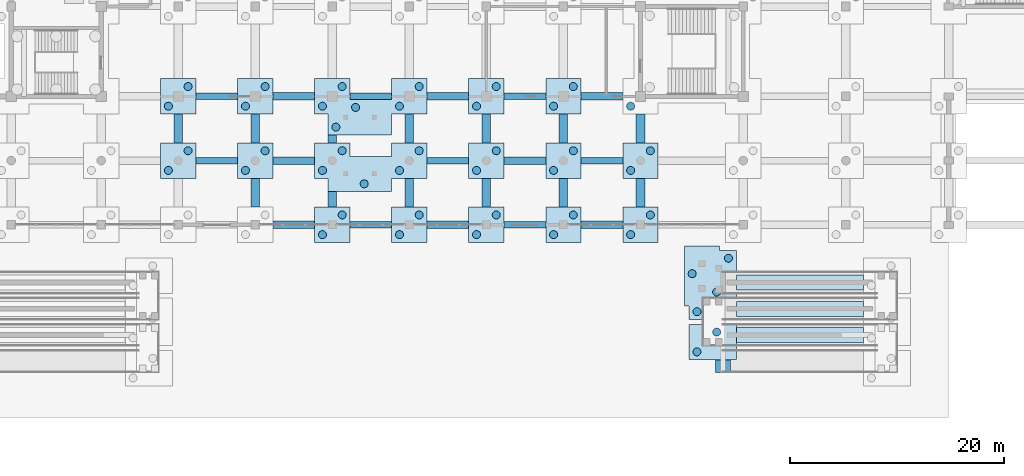
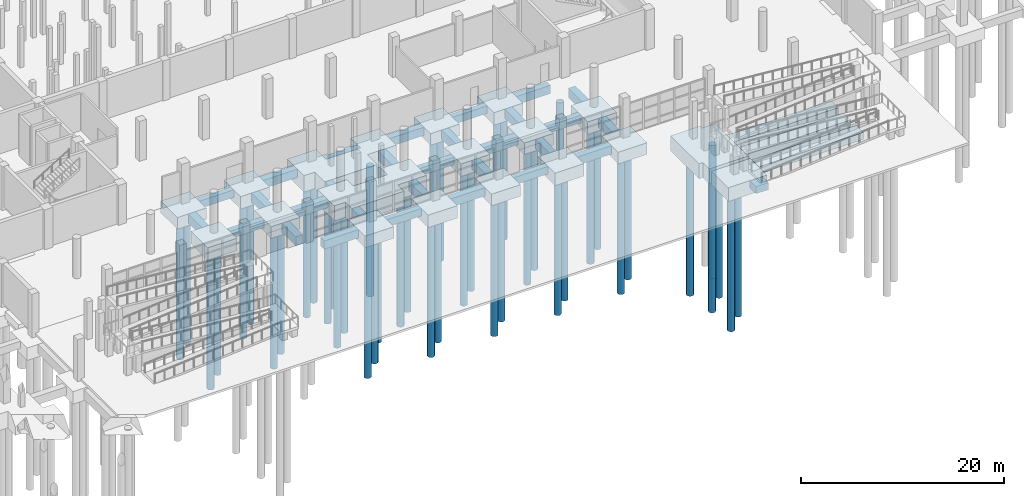
# One storey, part 5 of 42: 51 footings, 46 piles.
"""IFC4 building model written with IfcOpenShell, lengths in metres."""

from ifc_helpers import new_model, si_unit, direction, frame, origin, origin_2d, place, context, subcontext, project, spatial, polyline, rectangle, circle, outline, extrude, material, layer, layer_set, material_profile, profile_set, type_object, element, save


model = new_model("IFC4")

# Units and contexts
model_context = context("Model", 3, precision=1e-05, world=origin(), true_north=direction((0.0, 1.0)))
body_context = subcontext(model_context, "Body", "Model", "MODEL_VIEW")
ifc_project = project(units=[si_unit("LENGTHUNIT", "METRE"), si_unit("AREAUNIT", "SQUARE_METRE"), si_unit("VOLUMEUNIT", "CUBIC_METRE"), si_unit("PLANEANGLEUNIT", "RADIAN"), si_unit("MASSUNIT", "GRAM", prefix="KILO")], contexts=[model_context])

# Site, building, storey
site_placement = place(None, origin())
site = spatial("IfcSite", under=ifc_project, at=site_placement, CompositionType="ELEMENT")
building_placement = place(site_placement, origin())
building = spatial("IfcBuilding", under=site, at=building_placement, Name="Pellamere Symphony Hall", CompositionType="ELEMENT")
storey_placement = place(building_placement, frame((0.0, 0.0, -4.800048828125)))
storey = spatial("IfcBuildingStorey", under=building, at=storey_placement, Name="B1", CompositionType="ELEMENT", Elevation=-4.800048828125)

# Piles
ifc_material_1 = material(Name="Concrete 35 MPa", Category="concrete")
ifc_material_profile_1 = material_profile(ifc_material_1, circle(Radius=0.375, at=origin_2d()), Name="PILE D750")
ifc_profile_set_1 = profile_set([ifc_material_profile_1], Name="Concrete 35 MPa")
pile_type = type_object("IfcPileType", Name="Bored Pile 750mm Concrete 35 MPa", PredefinedType="BORED", material=ifc_profile_set_1)
for number, where, z_axis, x_axis, name in (
    (1, (114.47998046875, 6.1298828125, -1.800048828125), (0.0, 0.0, -1.0), (1.0, 0.0, 0.0), "Bored Pile BP-750-P023"),
    (2, (116.320068359375, 7.969970703125, -1.800048828125), (0.0, 0.0, -1.0), (1.0, 0.0, 0.0), "Bored Pile BP-750-P024"),
):
    element("IfcPile", number, at=place(storey_placement, frame(where, z_axis=z_axis, x_axis=x_axis)), inside=storey, type_object=pile_type, Name=name, PredefinedType="BORED", context=body_context, shape_type="SweptSolid", body=[
        extrude(circle(Radius=0.375, at=origin_2d()), origin(), (0.0, 0.0, 1.0), 16.199951171875),
    ])
for number, where, z_axis, x_axis, name in (
    (3, (114.47998046875, 9.8798828125, -1.949951171875), (0.0, 0.0, -1.0), (1.0, 0.0, 0.0), "Bored Pile BP-750-P043"),
    (4, (116.320068359375, 11.719970703125, -1.949951171875), (0.0, 0.0, -1.0), (1.0, 0.0, 0.0), "Bored Pile BP-750-P044"),
    (5, (117.419921875, 14.8701171875, -1.949951171875), (0.0, 0.0, -1.0), (1.0, 0.0, 0.0), "Bored Pile BP-750-P045"),
    (6, (114.030029296875, 13.429931640625, -1.949951171875), (0.0, 0.0, -1.0), (1.0, 0.0, 0.0), "Bored Pile BP-750-P046"),
):
    element("IfcPile", number, at=place(storey_placement, frame(where, z_axis=z_axis, x_axis=x_axis)), inside=storey, type_object=pile_type, Name=name, PredefinedType="BORED", context=body_context, shape_type="SweptSolid", body=[
        extrude(circle(Radius=0.375, at=origin_2d()), origin(), (0.0, 0.0, 1.0), 16.050048828125),
    ])
for number, where, z_axis, x_axis, name in (
    (7, (79.47998046875, 17.080078125, -1.75), (0.0, 0.0, -1.0), (1.0, 0.0, 0.0), "Bored Pile BP-750-P071"),
    (8, (81.320068359375, 18.919921875, -1.75), (0.0, 0.0, -1.0), (1.0, 0.0, 0.0), "Bored Pile BP-750-P072"),
):
    element("IfcPile", number, at=place(storey_placement, frame(where, z_axis=z_axis, x_axis=x_axis)), inside=storey, type_object=pile_type, Name=name, PredefinedType="BORED", context=body_context, shape_type="SweptSolid", body=[
        extrude(circle(Radius=0.375, at=origin_2d()), origin(), (0.0, 0.0, 1.0), 16.25),
    ])
for number, where, z_axis, x_axis, name in (
    (9, (86.679931640625, 17.080078125, -1.849853515625), (0.0, 0.0, -1.0), (1.0, 0.0, 0.0), "Bored Pile BP-750-P073"),
    (10, (88.52001953125, 18.919921875, -1.849853515625), (0.0, 0.0, -1.0), (1.0, 0.0, 0.0), "Bored Pile BP-750-P074"),
):
    element("IfcPile", number, at=place(storey_placement, frame(where, z_axis=z_axis, x_axis=x_axis)), inside=storey, type_object=pile_type, Name=name, PredefinedType="BORED", context=body_context, shape_type="SweptSolid", body=[
        extrude(circle(Radius=0.375, at=origin_2d()), origin(), (0.0, 0.0, 1.0), 16.14990234375),
    ])
for number, where, z_axis, x_axis, name in (
    (11, (93.8798828125, 17.080078125, -1.75), (0.0, 0.0, -1.0), (1.0, 0.0, 0.0), "Bored Pile BP-750-P075"),
    (12, (95.719970703125, 18.919921875, -1.75), (0.0, 0.0, -1.0), (1.0, 0.0, 0.0), "Bored Pile BP-750-P076"),
):
    element("IfcPile", number, at=place(storey_placement, frame(where, z_axis=z_axis, x_axis=x_axis)), inside=storey, type_object=pile_type, Name=name, PredefinedType="BORED", context=body_context, shape_type="SweptSolid", body=[
        extrude(circle(Radius=0.375, at=origin_2d()), origin(), (0.0, 0.0, 1.0), 16.25),
    ])
for number, where, z_axis, x_axis, name in (
    (13, (101.080078125, 17.080078125, -1.849853515625), (0.0, 0.0, -1.0), (1.0, 0.0, 0.0), "Bored Pile BP-750-P077"),
    (14, (102.919921875, 18.919921875, -1.849853515625), (0.0, 0.0, -1.0), (1.0, 0.0, 0.0), "Bored Pile BP-750-P078"),
):
    element("IfcPile", number, at=place(storey_placement, frame(where, z_axis=z_axis, x_axis=x_axis)), inside=storey, type_object=pile_type, Name=name, PredefinedType="BORED", context=body_context, shape_type="SweptSolid", body=[
        extrude(circle(Radius=0.375, at=origin_2d()), origin(), (0.0, 0.0, 1.0), 16.14990234375),
    ])
for number, where, z_axis, x_axis, name in (
    (15, (108.280029296875, 17.080078125, -1.75), (0.0, 0.0, -1.0), (1.0, 0.0, 0.0), "Bored Pile BP-750-P079"),
    (16, (110.1201171875, 18.919921875, -1.75), (0.0, 0.0, -1.0), (1.0, 0.0, 0.0), "Bored Pile BP-750-P080"),
):
    element("IfcPile", number, at=place(storey_placement, frame(where, z_axis=z_axis, x_axis=x_axis)), inside=storey, type_object=pile_type, Name=name, PredefinedType="BORED", context=body_context, shape_type="SweptSolid", body=[
        extrude(circle(Radius=0.375, at=origin_2d()), origin(), (0.0, 0.0, 1.0), 16.25),
    ])
for number, where, z_axis, x_axis, name in (
    (17, (79.47998046875, 23.080078125, -2.14990234375), (0.0, 0.0, -1.0), (1.0, 0.0, 0.0), "Bored Pile BP-750-P104"),
    (18, (81.320068359375, 24.919921875, -2.14990234375), (0.0, 0.0, -1.0), (1.0, 0.0, 0.0), "Bored Pile BP-750-P105"),
    (19, (86.679931640625, 23.080078125, -2.14990234375), (0.0, 0.0, -1.0), (1.0, 0.0, 0.0), "Bored Pile BP-750-P106"),
    (20, (88.52001953125, 24.919921875, -2.14990234375), (0.0, 0.0, -1.0), (1.0, 0.0, 0.0), "Bored Pile BP-750-P107"),
    (21, (83.3798828125, 21.830078125, -2.14990234375), (0.0, 0.0, -1.0), (1.0, 0.0, 0.0), "Bored Pile BP-750-P108"),
):
    element("IfcPile", number, at=place(storey_placement, frame(where, z_axis=z_axis, x_axis=x_axis)), inside=storey, type_object=pile_type, Name=name, PredefinedType="BORED", context=body_context, shape_type="SweptSolid", body=[
        extrude(circle(Radius=0.375, at=origin_2d()), origin(), (0.0, 0.0, 1.0), 15.85009765625),
    ])
for number, where, z_axis, x_axis, name in (
    (22, (65.080078125, 23.080078125, -1.849853515625), (0.0, 0.0, -1.0), (1.0, 0.0, 0.0), "Bored Pile BP-750-P119"),
    (23, (66.919921875, 24.919921875, -1.849853515625), (0.0, 0.0, -1.0), (1.0, 0.0, 0.0), "Bored Pile BP-750-P120"),
):
    element("IfcPile", number, at=place(storey_placement, frame(where, z_axis=z_axis, x_axis=x_axis)), inside=storey, type_object=pile_type, Name=name, PredefinedType="BORED", context=body_context, shape_type="SweptSolid", body=[
        extrude(circle(Radius=0.375, at=origin_2d()), origin(), (0.0, 0.0, 1.0), 16.14990234375),
    ])
for number, where, z_axis, x_axis, name in (
    (24, (72.280029296875, 23.080078125, -1.75), (0.0, 0.0, -1.0), (1.0, 0.0, 0.0), "Bored Pile BP-750-P121"),
    (25, (74.1201171875, 24.919921875, -1.75), (0.0, 0.0, -1.0), (1.0, 0.0, 0.0), "Bored Pile BP-750-P122"),
):
    element("IfcPile", number, at=place(storey_placement, frame(where, z_axis=z_axis, x_axis=x_axis)), inside=storey, type_object=pile_type, Name=name, PredefinedType="BORED", context=body_context, shape_type="SweptSolid", body=[
        extrude(circle(Radius=0.375, at=origin_2d()), origin(), (0.0, 0.0, 1.0), 16.25),
    ])
for number, where, z_axis, x_axis, name in (
    (26, (93.8798828125, 23.080078125, -1.849853515625), (0.0, 0.0, -1.0), (1.0, 0.0, 0.0), "Bored Pile BP-750-P123"),
    (27, (95.719970703125, 24.919921875, -1.849853515625), (0.0, 0.0, -1.0), (1.0, 0.0, 0.0), "Bored Pile BP-750-P124"),
):
    element("IfcPile", number, at=place(storey_placement, frame(where, z_axis=z_axis, x_axis=x_axis)), inside=storey, type_object=pile_type, Name=name, PredefinedType="BORED", context=body_context, shape_type="SweptSolid", body=[
        extrude(circle(Radius=0.375, at=origin_2d()), origin(), (0.0, 0.0, 1.0), 16.14990234375),
    ])
for number, where, z_axis, x_axis, name in (
    (28, (101.080078125, 23.080078125, -1.75), (0.0, 0.0, -1.0), (1.0, 0.0, 0.0), "Bored Pile BP-750-P125"),
    (29, (102.919921875, 24.919921875, -1.75), (0.0, 0.0, -1.0), (1.0, 0.0, 0.0), "Bored Pile BP-750-P126"),
):
    element("IfcPile", number, at=place(storey_placement, frame(where, z_axis=z_axis, x_axis=x_axis)), inside=storey, type_object=pile_type, Name=name, PredefinedType="BORED", context=body_context, shape_type="SweptSolid", body=[
        extrude(circle(Radius=0.375, at=origin_2d()), origin(), (0.0, 0.0, 1.0), 16.25),
    ])
for number, where, z_axis, x_axis, name in (
    (30, (108.280029296875, 23.080078125, -1.849853515625), (0.0, 0.0, -1.0), (1.0, 0.0, 0.0), "Bored Pile BP-750-P127"),
    (31, (110.1201171875, 24.919921875, -1.849853515625), (0.0, 0.0, -1.0), (1.0, 0.0, 0.0), "Bored Pile BP-750-P128"),
):
    element("IfcPile", number, at=place(storey_placement, frame(where, z_axis=z_axis, x_axis=x_axis)), inside=storey, type_object=pile_type, Name=name, PredefinedType="BORED", context=body_context, shape_type="SweptSolid", body=[
        extrude(circle(Radius=0.375, at=origin_2d()), origin(), (0.0, 0.0, 1.0), 16.14990234375),
    ])
for number, where, z_axis, x_axis, name in (
    (32, (79.47998046875, 29.080078125, -2.349853515625), (0.0, 0.0, -1.0), (1.0, 0.0, 0.0), "Bored Pile BP-750-P141"),
    (33, (81.320068359375, 30.919921875, -2.349853515625), (0.0, 0.0, -1.0), (1.0, 0.0, 0.0), "Bored Pile BP-750-P142"),
    (34, (86.679931640625, 29.080078125, -2.349853515625), (0.0, 0.0, -1.0), (1.0, 0.0, 0.0), "Bored Pile BP-750-P143"),
    (35, (88.52001953125, 30.919921875, -2.349853515625), (0.0, 0.0, -1.0), (1.0, 0.0, 0.0), "Bored Pile BP-750-P144"),
    (36, (80.72998046875, 27.1298828125, -2.349853515625), (0.0, 0.0, -1.0), (1.0, 0.0, 0.0), "Bored Pile BP-750-P145"),
    (37, (82.570068359375, 28.969970703125, -2.349853515625), (0.0, 0.0, -1.0), (1.0, 0.0, 0.0), "Bored Pile BP-750-P146"),
):
    element("IfcPile", number, at=place(storey_placement, frame(where, z_axis=z_axis, x_axis=x_axis)), inside=storey, type_object=pile_type, Name=name, PredefinedType="BORED", context=body_context, shape_type="SweptSolid", body=[
        extrude(circle(Radius=0.375, at=origin_2d()), origin(), (0.0, 0.0, 1.0), 15.64990234375),
    ])
for number, where, z_axis, x_axis, name in (
    (38, (65.080078125, 29.080078125, -1.75), (0.0, 0.0, -1.0), (1.0, 0.0, 0.0), "Bored Pile BP-750-P180"),
    (39, (66.919921875, 30.919921875, -1.75), (0.0, 0.0, -1.0), (1.0, 0.0, 0.0), "Bored Pile BP-750-P181"),
):
    element("IfcPile", number, at=place(storey_placement, frame(where, z_axis=z_axis, x_axis=x_axis)), inside=storey, type_object=pile_type, Name=name, PredefinedType="BORED", context=body_context, shape_type="SweptSolid", body=[
        extrude(circle(Radius=0.375, at=origin_2d()), origin(), (0.0, 0.0, 1.0), 16.25),
    ])
for number, where, z_axis, x_axis, name in (
    (40, (72.280029296875, 29.080078125, -1.849853515625), (0.0, 0.0, -1.0), (1.0, 0.0, 0.0), "Bored Pile BP-750-P182"),
    (41, (74.1201171875, 30.919921875, -1.849853515625), (0.0, 0.0, -1.0), (1.0, 0.0, 0.0), "Bored Pile BP-750-P183"),
):
    element("IfcPile", number, at=place(storey_placement, frame(where, z_axis=z_axis, x_axis=x_axis)), inside=storey, type_object=pile_type, Name=name, PredefinedType="BORED", context=body_context, shape_type="SweptSolid", body=[
        extrude(circle(Radius=0.375, at=origin_2d()), origin(), (0.0, 0.0, 1.0), 16.14990234375),
    ])
for number, where, z_axis, x_axis, name in (
    (42, (93.8798828125, 29.080078125, -1.75), (0.0, 0.0, -1.0), (1.0, 0.0, 0.0), "Bored Pile BP-750-P184"),
    (43, (95.719970703125, 30.919921875, -1.75), (0.0, 0.0, -1.0), (1.0, 0.0, 0.0), "Bored Pile BP-750-P185"),
):
    element("IfcPile", number, at=place(storey_placement, frame(where, z_axis=z_axis, x_axis=x_axis)), inside=storey, type_object=pile_type, Name=name, PredefinedType="BORED", context=body_context, shape_type="SweptSolid", body=[
        extrude(circle(Radius=0.375, at=origin_2d()), origin(), (0.0, 0.0, 1.0), 16.25),
    ])
for number, where, z_axis, x_axis, name in (
    (44, (101.080078125, 29.080078125, -1.849853515625), (0.0, 0.0, -1.0), (1.0, 0.0, 0.0), "Bored Pile BP-750-P186"),
    (45, (102.919921875, 30.919921875, -1.849853515625), (0.0, 0.0, -1.0), (1.0, 0.0, 0.0), "Bored Pile BP-750-P187"),
):
    element("IfcPile", number, at=place(storey_placement, frame(where, z_axis=z_axis, x_axis=x_axis)), inside=storey, type_object=pile_type, Name=name, PredefinedType="BORED", context=body_context, shape_type="SweptSolid", body=[
        extrude(circle(Radius=0.375, at=origin_2d()), origin(), (0.0, 0.0, 1.0), 16.14990234375),
    ])
pile_placement = place(storey_placement, frame((108.280029296875, 29.080078125, -2.25), z_axis=(0.0, 0.0, -1.0), x_axis=(1.0, 0.0, 0.0)))
element("IfcPile", 46, at=pile_placement, inside=storey, type_object=pile_type, Name="Bored Pile BP-750-P192", PredefinedType="BORED", context=body_context, shape_type="SweptSolid", body=[
    extrude(circle(Radius=0.375, at=origin_2d()), origin(), (0.0, 0.0, 1.0), 15.75),
])

# Footings
ifc_material_2 = material(Name="Concrete 40 MPa", Category="concrete")
ifc_material_profile_2 = material_profile(ifc_material_2, rectangle(XDim=0.60009765625, YDim=0.89990234375, at=origin_2d()), Name="RC 600x900")
ifc_profile_set_2 = profile_set([ifc_material_profile_2], Name="Concrete 40 MPa")
footing_type_1 = type_object("IfcFootingType", Name="Foundation FB-01 600x900", PredefinedType="FOOTING_BEAM", material=ifc_profile_set_2)
for number, where, z_axis, x_axis, name in (
    (47, (82.052001953125, 18.0, -0.89990234375), (1.0, 0.0, 0.0), (0.0, 1.0, 0.0), "Foundation Beam FB-01-076"),
    (48, (96.451904296875, 18.0, -0.89990234375), (1.0, 0.0, 0.0), (0.0, 1.0, 0.0), "Foundation Beam FB-01-078"),
    (49, (67.652099609375, 24.0, -0.89990234375), (1.0, 0.0, 0.0), (0.0, 1.0, 0.0), "Foundation Beam FB-01-092"),
    (50, (89.251953125, 24.0, -0.89990234375), (1.0, 0.0, 0.0), (0.0, 1.0, 0.0), "Foundation Beam FB-01-094"),
    (51, (103.652099609375, 24.0, -0.89990234375), (1.0, 0.0, 0.0), (0.0, 1.0, 0.0), "Foundation Beam FB-01-096"),
    (52, (67.652099609375, 30.0, -0.89990234375), (1.0, 0.0, 0.0), (0.0, 1.0, 0.0), "Foundation Beam FB-01-108"),
    (53, (82.052001953125, 30.0, -0.89990234375), (1.0, 0.0, 0.0), (0.0, 1.0, 0.0), "Foundation Beam FB-01-110"),
    (54, (96.451904296875, 30.0, -0.89990234375), (1.0, 0.0, 0.0), (0.0, 1.0, 0.0), "Foundation Beam FB-01-112"),
):
    element("IfcFooting", number, at=place(storey_placement, frame(where, z_axis=z_axis, x_axis=x_axis)), inside=storey, type_object=footing_type_1, Name=name, PredefinedType="FOOTING_BEAM", context=body_context, shape_type="SweptSolid", body=[
        extrude(rectangle(XDim=0.60009765625, YDim=0.89990234375, at=origin_2d()), origin(), (0.0, 0.0, 1.0), 3.89599609375),
    ])
ifc_material_profile_3 = material_profile(ifc_material_2, rectangle(XDim=0.699951171875, YDim=1.0, at=origin_2d()), Name="RC 700x1000")
ifc_profile_set_3 = profile_set([ifc_material_profile_3], Name="Concrete 40 MPa")
footing_type_2 = type_object("IfcFootingType", Name="Foundation FB-02 700x1000", PredefinedType="FOOTING_BEAM", material=ifc_profile_set_3)
for number, where, z_axis, x_axis, name in (
    (55, (74.85205078125, 18.0, -0.949951171875), (1.0, 0.0, 0.0), (0.0, 1.0, 0.0), "Foundation Beam FB-02-075"),
    (56, (89.251953125, 18.0, -0.949951171875), (1.0, 0.0, 0.0), (0.0, 1.0, 0.0), "Foundation Beam FB-02-077"),
    (57, (103.652099609375, 18.0, -0.949951171875), (1.0, 0.0, 0.0), (0.0, 1.0, 0.0), "Foundation Beam FB-02-079"),
    (58, (74.85205078125, 24.0, -0.949951171875), (1.0, 0.0, 0.0), (0.0, 1.0, 0.0), "Foundation Beam FB-02-093"),
    (59, (96.451904296875, 24.0, -0.949951171875), (1.0, 0.0, 0.0), (0.0, 1.0, 0.0), "Foundation Beam FB-02-095"),
    (60, (74.85205078125, 30.0, -0.949951171875), (1.0, 0.0, 0.0), (0.0, 1.0, 0.0), "Foundation Beam FB-02-109"),
    (61, (89.251953125, 30.0, -0.949951171875), (1.0, 0.0, 0.0), (0.0, 1.0, 0.0), "Foundation Beam FB-02-111"),
    (62, (103.652099609375, 30.0, -0.949951171875), (1.0, 0.0, 0.0), (0.0, 1.0, 0.0), "Foundation Beam FB-02-113"),
):
    element("IfcFooting", number, at=place(storey_placement, frame(where, z_axis=z_axis, x_axis=x_axis)), inside=storey, type_object=footing_type_2, Name=name, PredefinedType="FOOTING_BEAM", context=body_context, shape_type="SweptSolid", body=[
        extrude(rectangle(XDim=0.699951171875, YDim=1.0, at=origin_2d()), origin(), (0.0, 0.0, 1.0), 3.89599609375),
    ])
ifc_material_profile_4 = material_profile(ifc_material_2, rectangle(XDim=0.800048828125, YDim=1.10009765625, at=origin_2d()), Name="RC 800x1100")
ifc_profile_set_4 = profile_set([ifc_material_profile_4], Name="Concrete 40 MPa")
footing_type_3 = type_object("IfcFootingType", Name="Foundation FB-03 800x1100", PredefinedType="FOOTING_BEAM", material=ifc_profile_set_4)
for number, where, z_axis, x_axis, name in (
    (63, (66.0, 25.652099609375, -1.0), (0.0, 1.0, 0.0), (-1.0, 0.0, 0.0), "Foundation Beam FB-03-283"),
    (64, (73.199951171875, 19.652099609375, -1.0), (0.0, 1.0, 0.0), (-1.0, 0.0, 0.0), "Foundation Beam FB-03-288"),
    (65, (73.199951171875, 25.652099609375, -1.0), (0.0, 1.0, 0.0), (-1.0, 0.0, 0.0), "Foundation Beam FB-03-289"),
):
    element("IfcFooting", number, at=place(storey_placement, frame(where, z_axis=z_axis, x_axis=x_axis)), inside=storey, type_object=footing_type_3, Name=name, PredefinedType="FOOTING_BEAM", context=body_context, shape_type="SweptSolid", body=[
        extrude(rectangle(XDim=0.800048828125, YDim=1.10009765625, at=origin_2d()), origin(), (0.0, 0.0, 1.0), 2.69580078125),
    ])
footing_1_placement = place(storey_placement, frame((80.39990234375, 19.652099609375, -1.0), z_axis=(0.0, 1.0, 0.0), x_axis=(-1.0, 0.0, 0.0)))
element("IfcFooting", 66, at=footing_1_placement, inside=storey, type_object=footing_type_3, Name="Foundation Beam FB-03-294", PredefinedType="FOOTING_BEAM", context=body_context, shape_type="SweptSolid", body=[
    extrude(rectangle(XDim=0.800048828125, YDim=1.10009765625, at=origin_2d()), origin(), (0.0, 0.0, 1.0), 1.44580078125),
])
footing_2_placement = place(storey_placement, frame((80.39990234375, 25.652099609375, -1.0), z_axis=(0.0, 1.0, 0.0), x_axis=(-1.0, 0.0, 0.0)))
element("IfcFooting", 67, at=footing_2_placement, inside=storey, type_object=footing_type_3, Name="Foundation Beam FB-03-295", PredefinedType="FOOTING_BEAM", context=body_context, shape_type="SweptSolid", body=[
    extrude(rectangle(XDim=0.800048828125, YDim=1.10009765625, at=origin_2d()), origin(), (0.0, 0.0, 1.0), 0.745849609375),
])
for number, where, z_axis, x_axis, name in (
    (68, (87.60009765625, 19.652099609375, -1.0), (0.0, 1.0, 0.0), (-1.0, 0.0, 0.0), "Foundation Beam FB-03-300"),
    (69, (87.60009765625, 25.652099609375, -1.0), (0.0, 1.0, 0.0), (-1.0, 0.0, 0.0), "Foundation Beam FB-03-301"),
    (70, (94.800048828125, 19.652099609375, -1.0), (0.0, 1.0, 0.0), (-1.0, 0.0, 0.0), "Foundation Beam FB-03-309"),
    (71, (94.800048828125, 25.652099609375, -1.0), (0.0, 1.0, 0.0), (-1.0, 0.0, 0.0), "Foundation Beam FB-03-310"),
    (72, (102.0, 19.652099609375, -1.0), (0.0, 1.0, 0.0), (-1.0, 0.0, 0.0), "Foundation Beam FB-03-318"),
    (73, (102.0, 25.652099609375, -1.0), (0.0, 1.0, 0.0), (-1.0, 0.0, 0.0), "Foundation Beam FB-03-319"),
    (74, (109.199951171875, 19.652099609375, -1.0), (0.0, 1.0, 0.0), (-1.0, 0.0, 0.0), "Foundation Beam FB-03-327"),
    (75, (109.199951171875, 25.652099609375, -1.0), (0.0, 1.0, 0.0), (-1.0, 0.0, 0.0), "Foundation Beam FB-03-328"),
):
    element("IfcFooting", number, at=place(storey_placement, frame(where, z_axis=z_axis, x_axis=x_axis)), inside=storey, type_object=footing_type_3, Name=name, PredefinedType="FOOTING_BEAM", context=body_context, shape_type="SweptSolid", body=[
        extrude(rectangle(XDim=0.800048828125, YDim=1.10009765625, at=origin_2d()), origin(), (0.0, 0.0, 1.0), 2.69580078125),
    ])
ifc_material_profile_5 = material_profile(ifc_material_2, rectangle(XDim=1.39990234375, YDim=0.85009765625, at=origin_2d()), Name="RC 1400x850")
ifc_profile_set_5 = profile_set([ifc_material_profile_5], Name="Concrete 40 MPa")
footing_type_4 = type_object("IfcFootingType", Name="Foundation SF-02 1400x850", PredefinedType="STRIP_FOOTING", material=ifc_profile_set_5)
footing_3_placement = place(storey_placement, frame((116.89990234375, 4.199951171875, -0.675048828125), z_axis=(0.0, 1.0, 0.0), x_axis=(-1.0, 0.0, 0.0)))
element("IfcFooting", 76, at=footing_3_placement, inside=storey, type_object=footing_type_4, Name="Foundation Beam SF-02-046", PredefinedType="STRIP_FOOTING", context=body_context, shape_type="SweptSolid", body=[
    extrude(rectangle(XDim=1.39990234375, YDim=0.85009765625, at=origin_2d()), origin(), (0.0, 0.0, 1.0), 1.18505859375),
])
for number, where, z_axis, x_axis, name in (
    (77, (118.1650390625, 7.699951171875, -0.675048828125), (1.0, 0.0, 0.0), (0.0, 1.0, 0.0), "Foundation Beam SF-02-047"),
    (78, (118.1650390625, 10.14990234375, -0.675048828125), (1.0, 0.0, 0.0), (0.0, 1.0, 0.0), "Foundation Beam SF-02-048"),
    (79, (118.1650390625, 12.60009765625, -0.675048828125), (1.0, 0.0, 0.0), (0.0, 1.0, 0.0), "Foundation Beam SF-02-049"),
):
    element("IfcFooting", number, at=place(storey_placement, frame(where, z_axis=z_axis, x_axis=x_axis)), inside=storey, type_object=footing_type_4, Name=name, PredefinedType="STRIP_FOOTING", context=body_context, shape_type="SweptSolid", body=[
        extrude(rectangle(XDim=1.39990234375, YDim=0.85009765625, at=origin_2d()), origin(), (0.0, 0.0, 1.0), 11.869873046875),
    ])
ifc_layer_1 = layer(ifc_material_2, 1.39990234375, Name="Concrete 40 MPa")
ifc_layer_set_1 = layer_set([ifc_layer_1], Name="Concrete 40 MPa")
footing_type_5 = type_object("IfcFootingType", Name="Pile Cap PC-02 3300x3300x1400", PredefinedType="PILE_CAP", material=ifc_layer_set_1)
footing_4_placement = place(storey_placement, frame((0.0, 0.0, -1.849853515625)))
element("IfcFooting", 80, at=footing_4_placement, inside=storey, type_object=footing_type_5, Name="Pile Cap PC-02-032", PredefinedType="PILE_CAP", context=body_context, shape_type="SweptSolid", body=[
    extrude(outline(polyline([(82.050048828125, 16.35009765625), (78.75, 16.35009765625), (78.75, 19.64990234375), (82.050048828125, 19.64990234375), (82.050048828125, 16.35009765625)])), origin(), (0.0, 0.0, 1.0), 1.39990234375),
])
footing_5_placement = place(storey_placement, frame((0.0, 0.0, -1.849853515625)))
element("IfcFooting", 81, at=footing_5_placement, inside=storey, type_object=footing_type_5, Name="Pile Cap PC-02-034", PredefinedType="PILE_CAP", context=body_context, shape_type="SweptSolid", body=[
    extrude(outline(polyline([(93.14990234375, 16.35009765625), (93.14990234375, 19.64990234375), (96.449951171875, 19.64990234375), (96.449951171875, 16.35009765625), (93.14990234375, 16.35009765625)])), origin(), (0.0, 0.0, 1.0), 1.39990234375),
])
footing_6_placement = place(storey_placement, frame((0.0, 0.0, -1.849853515625)))
element("IfcFooting", 82, at=footing_6_placement, inside=storey, type_object=footing_type_5, Name="Pile Cap PC-02-036", PredefinedType="PILE_CAP", context=body_context, shape_type="SweptSolid", body=[
    extrude(outline(polyline([(107.550048828125, 16.35009765625), (107.550048828125, 19.64990234375), (110.85009765625, 19.64990234375), (110.85009765625, 16.35009765625), (107.550048828125, 16.35009765625)])), origin(), (0.0, 0.0, 1.0), 1.39990234375),
])
footing_7_placement = place(storey_placement, frame((0.0, 0.0, -1.849853515625)))
element("IfcFooting", 83, at=footing_7_placement, inside=storey, type_object=footing_type_5, Name="Pile Cap PC-02-054", PredefinedType="PILE_CAP", context=body_context, shape_type="SweptSolid", body=[
    extrude(outline(polyline([(74.85009765625, 22.35009765625), (71.550048828125, 22.35009765625), (71.550048828125, 25.64990234375), (74.85009765625, 25.64990234375), (74.85009765625, 22.35009765625)])), origin(), (0.0, 0.0, 1.0), 1.39990234375),
])
footing_8_placement = place(storey_placement, frame((0.0, 0.0, -1.849853515625)))
element("IfcFooting", 84, at=footing_8_placement, inside=storey, type_object=footing_type_5, Name="Pile Cap PC-02-056", PredefinedType="PILE_CAP", context=body_context, shape_type="SweptSolid", body=[
    extrude(outline(polyline([(100.35009765625, 22.35009765625), (100.35009765625, 25.64990234375), (103.64990234375, 25.64990234375), (103.64990234375, 22.35009765625), (100.35009765625, 22.35009765625)])), origin(), (0.0, 0.0, 1.0), 1.39990234375),
])
footing_9_placement = place(storey_placement, frame((0.0, 0.0, -1.849853515625)))
element("IfcFooting", 85, at=footing_9_placement, inside=storey, type_object=footing_type_5, Name="Pile Cap PC-02-072", PredefinedType="PILE_CAP", context=body_context, shape_type="SweptSolid", body=[
    extrude(outline(polyline([(67.64990234375, 28.35009765625), (64.35009765625, 28.35009765625), (64.35009765625, 31.64990234375), (67.64990234375, 31.64990234375), (67.64990234375, 28.35009765625)])), origin(), (0.0, 0.0, 1.0), 1.39990234375),
])
footing_10_placement = place(storey_placement, frame((0.0, 0.0, -1.849853515625)))
element("IfcFooting", 86, at=footing_10_placement, inside=storey, type_object=footing_type_5, Name="Pile Cap PC-02-074", PredefinedType="PILE_CAP", context=body_context, shape_type="SweptSolid", body=[
    extrude(outline(polyline([(96.449951171875, 28.35009765625), (93.14990234375, 28.35009765625), (93.14990234375, 31.64990234375), (96.449951171875, 31.64990234375), (96.449951171875, 28.35009765625)])), origin(), (0.0, 0.0, 1.0), 1.39990234375),
])
ifc_layer_2 = layer(ifc_material_2, 1.5, Name="Concrete 40 MPa")
ifc_layer_set_2 = layer_set([ifc_layer_2], Name="Concrete 40 MPa")
footing_type_6 = type_object("IfcFootingType", Name="Pile Cap PC-03 3300x3300x1500", PredefinedType="PILE_CAP", material=ifc_layer_set_2)
footing_11_placement = place(storey_placement, frame((0.0, 0.0, -1.949951171875)))
element("IfcFooting", 87, at=footing_11_placement, inside=storey, type_object=footing_type_6, Name="Pile Cap PC-03-033", PredefinedType="PILE_CAP", context=body_context, shape_type="SweptSolid", body=[
    extrude(outline(polyline([(85.949951171875, 16.35009765625), (85.949951171875, 19.64990234375), (89.25, 19.64990234375), (89.25, 16.35009765625), (85.949951171875, 16.35009765625)])), origin(), (0.0, 0.0, 1.0), 1.5),
])
footing_12_placement = place(storey_placement, frame((0.0, 0.0, -1.949951171875)))
element("IfcFooting", 88, at=footing_12_placement, inside=storey, type_object=footing_type_6, Name="Pile Cap PC-03-035", PredefinedType="PILE_CAP", context=body_context, shape_type="SweptSolid", body=[
    extrude(outline(polyline([(103.64990234375, 16.35009765625), (100.35009765625, 16.35009765625), (100.35009765625, 19.64990234375), (103.64990234375, 19.64990234375), (103.64990234375, 16.35009765625)])), origin(), (0.0, 0.0, 1.0), 1.5),
])
footing_13_placement = place(storey_placement, frame((0.0, 0.0, -1.949951171875)))
element("IfcFooting", 89, at=footing_13_placement, inside=storey, type_object=footing_type_6, Name="Pile Cap PC-03-053", PredefinedType="PILE_CAP", context=body_context, shape_type="SweptSolid", body=[
    extrude(outline(polyline([(67.64990234375, 22.35009765625), (64.35009765625, 22.35009765625), (64.35009765625, 25.64990234375), (67.64990234375, 25.64990234375), (67.64990234375, 22.35009765625)])), origin(), (0.0, 0.0, 1.0), 1.5),
])
footing_14_placement = place(storey_placement, frame((0.0, 0.0, -1.949951171875)))
element("IfcFooting", 90, at=footing_14_placement, inside=storey, type_object=footing_type_6, Name="Pile Cap PC-03-055", PredefinedType="PILE_CAP", context=body_context, shape_type="SweptSolid", body=[
    extrude(outline(polyline([(93.14990234375, 22.35009765625), (93.14990234375, 25.64990234375), (96.449951171875, 25.64990234375), (96.449951171875, 22.35009765625), (93.14990234375, 22.35009765625)])), origin(), (0.0, 0.0, 1.0), 1.5),
])
footing_15_placement = place(storey_placement, frame((0.0, 0.0, -1.949951171875)))
element("IfcFooting", 91, at=footing_15_placement, inside=storey, type_object=footing_type_6, Name="Pile Cap PC-03-057", PredefinedType="PILE_CAP", context=body_context, shape_type="SweptSolid", body=[
    extrude(outline(polyline([(110.85009765625, 22.35009765625), (107.550048828125, 22.35009765625), (107.550048828125, 25.64990234375), (110.85009765625, 25.64990234375), (110.85009765625, 22.35009765625)])), origin(), (0.0, 0.0, 1.0), 1.5),
])
footing_16_placement = place(storey_placement, frame((0.0, 0.0, -1.949951171875)))
element("IfcFooting", 92, at=footing_16_placement, inside=storey, type_object=footing_type_6, Name="Pile Cap PC-03-073", PredefinedType="PILE_CAP", context=body_context, shape_type="SweptSolid", body=[
    extrude(outline(polyline([(71.550048828125, 28.35009765625), (71.550048828125, 31.64990234375), (74.85009765625, 31.64990234375), (74.85009765625, 28.35009765625), (71.550048828125, 28.35009765625)])), origin(), (0.0, 0.0, 1.0), 1.5),
])
footing_17_placement = place(storey_placement, frame((0.0, 0.0, -1.949951171875)))
element("IfcFooting", 93, at=footing_17_placement, inside=storey, type_object=footing_type_6, Name="Pile Cap PC-03-075", PredefinedType="PILE_CAP", context=body_context, shape_type="SweptSolid", body=[
    extrude(outline(polyline([(100.35009765625, 28.35009765625), (100.35009765625, 31.64990234375), (103.64990234375, 31.64990234375), (103.64990234375, 28.35009765625), (100.35009765625, 28.35009765625)])), origin(), (0.0, 0.0, 1.0), 1.5),
])
ifc_layer_3 = layer(ifc_material_2, 1.64990234375, Name="Concrete 40 MPa")
ifc_layer_set_3 = layer_set([ifc_layer_3], Name="Concrete 40 MPa")
footing_type_7 = type_object("IfcFootingType", Name="Pile Cap PC-05 4400x3300x1650", PredefinedType="PILE_CAP", material=ifc_layer_set_3)
footing_18_placement = place(storey_placement, frame((0.0, 0.0, -1.89990234375)))
element("IfcFooting", 94, at=footing_18_placement, inside=storey, type_object=footing_type_7, Name="Pile Cap PC-05-010", PredefinedType="PILE_CAP", context=body_context, shape_type="SweptSolid", body=[
    extrude(outline(polyline([(118.14990234375, 5.39990234375), (113.75, 5.39990234375), (113.75, 8.699951171875), (118.14990234375, 8.699951171875), (118.14990234375, 5.39990234375)])), origin(), (0.0, 0.0, 1.0), 1.64990234375),
])
ifc_layer_4 = layer(ifc_material_2, 1.800048828125, Name="Concrete 40 MPa")
ifc_layer_set_4 = layer_set([ifc_layer_4], Name="Concrete 40 MPa")
footing_type_8 = type_object("IfcFootingType", Name="Pile Cap PC-07 4850x6850x1800", PredefinedType="PILE_CAP", material=ifc_layer_set_4)
footing_19_placement = place(storey_placement, frame((0.0, 0.0, -2.050048828125)))
element("IfcFooting", 95, at=footing_19_placement, inside=storey, type_object=footing_type_8, Name="Pile Cap PC-07-019", PredefinedType="PILE_CAP", context=body_context, shape_type="SweptSolid", body=[
    extrude(outline(polyline([(113.300048828125, 10.39990234375), (113.300048828125, 16.0), (116.60009765625, 16.0), (116.60009765625, 15.60009765625), (118.14990234375, 15.60009765625), (118.14990234375, 9.14990234375), (113.75, 9.14990234375), (113.75, 10.39990234375), (113.300048828125, 10.39990234375)])), origin(), (0.0, 0.0, 1.0), 1.800048828125),
])
footing_20_placement = place(storey_placement, frame((0.0, 0.0, -2.25)))
element("IfcFooting", 96, at=footing_20_placement, inside=storey, type_object=footing_type_8, Name="Pile Cap PC-07-047", PredefinedType="PILE_CAP", context=body_context, shape_type="SweptSolid", body=[
    extrude(outline(polyline([(85.949951171875, 21.10009765625), (80.0, 21.10009765625), (80.0, 22.35009765625), (78.75, 22.35009765625), (78.75, 25.64990234375), (82.050048828125, 25.64990234375), (82.050048828125, 24.39990234375), (85.949951171875, 24.39990234375), (85.949951171875, 25.64990234375), (89.25, 25.64990234375), (89.25, 22.35009765625), (85.949951171875, 22.35009765625), (85.949951171875, 21.10009765625)])), origin(), (0.0, 0.0, 1.0), 1.800048828125),
])
ifc_material_3 = material(Name="Concrete 50 MPa", Category="concrete")
ifc_layer_5 = layer(ifc_material_3, 2.0, Name="Concrete 50 MPa")
ifc_layer_set_5 = layer_set([ifc_layer_5], Name="Concrete 50 MPa")
footing_type_9 = type_object("IfcFootingType", Name="Pile Cap PC-10 5500x12300x2000", PredefinedType="PILE_CAP", material=ifc_layer_set_5)
footing_21_placement = place(storey_placement, frame((0.0, 0.0, -2.449951171875)))
element("IfcFooting", 97, at=footing_21_placement, inside=storey, type_object=footing_type_9, Name="Pile Cap PC-10-064", PredefinedType="PILE_CAP", context=body_context, shape_type="SweptSolid", body=[
    extrude(outline(polyline([(85.949951171875, 29.699951171875), (85.949951171875, 31.64990234375), (89.25, 31.64990234375), (89.25, 28.35009765625), (85.949951171875, 28.35009765625), (85.949951171875, 26.39990234375), (80.0, 26.39990234375), (80.0, 28.35009765625), (78.75, 28.35009765625), (78.75, 31.64990234375), (82.050048828125, 31.64990234375), (82.050048828125, 29.699951171875), (85.949951171875, 29.699951171875)])), origin(), (0.0, 0.0, 1.0), 2.0),
])

save(model, "model.ifc")
